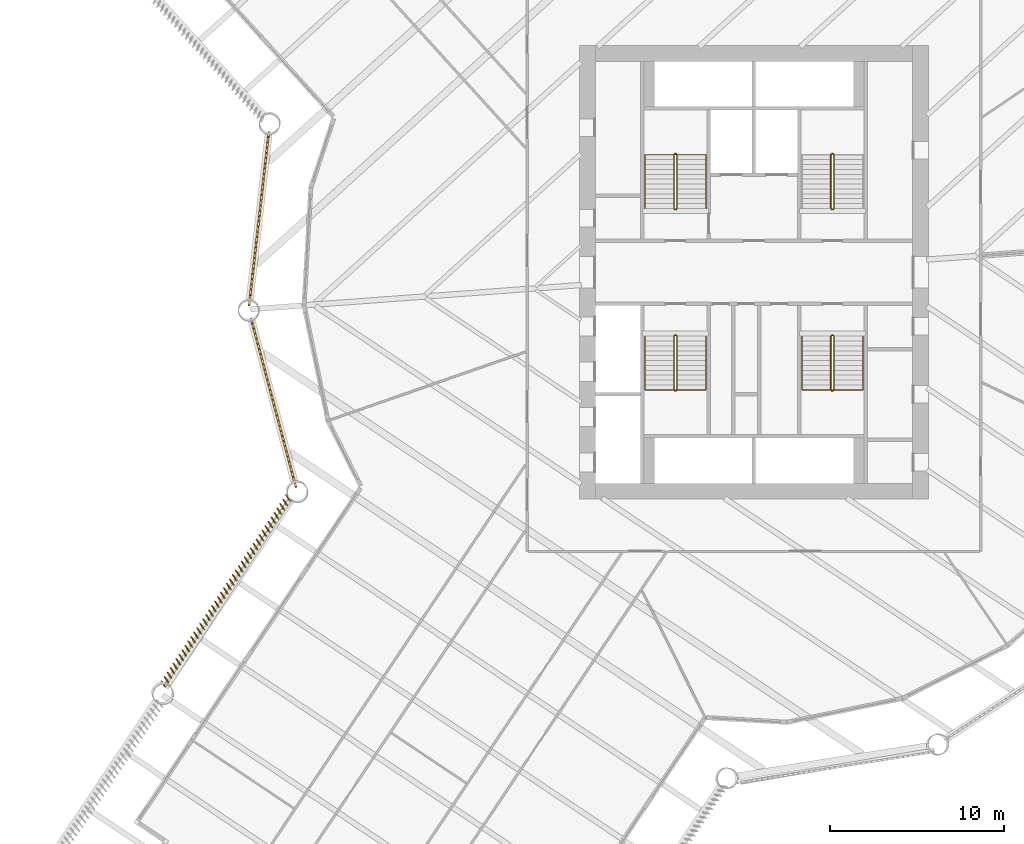
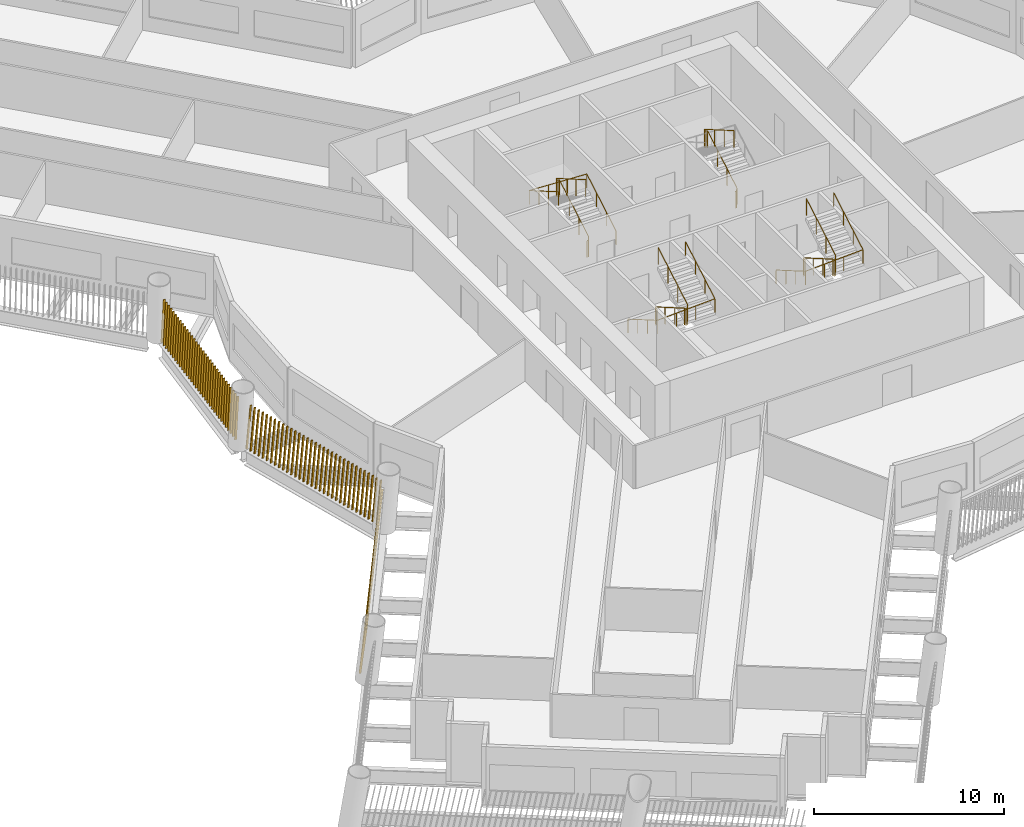
# One storey, part 12 of 15: 7 railings, 3 shading devices.
"""IFC4 building model written with IfcOpenShell, lengths in metres."""

import ifcopenshell
import ifcopenshell.guid

model = None  # the IFC model being written
_history = None  # IfcOwnerHistory: only IFC2X3 demands one
_inside = {}  # id of a spatial element -> (the spatial element, [elements in it])
_under = {}  # id of a project, library or spatial element -> (it, [spatial elements below it])
_declared = {}  # id of a project -> (the project, [libraries it declares])
_typed = {}  # id of a type object -> (the type object, [elements of that type])
_made_of = {}  # id of a material, layer set ... -> (it, [elements and type objects made of it])


def new_model(schema):
    """Start an empty IFC model of exactly this schema.

    Asked for "IFC4X3", IfcOpenShell would pick the latest addendum, in which some entities
    have other attributes; the version numbers below select the first issue.
    IFC2X3 requires an IfcOwnerHistory on every rooted entity: one is made here for all.
    """
    global model, _history
    if schema == "IFC4X3":
        model = ifcopenshell.file(schema_version=(4, 3, 0, 0))
    else:
        model = ifcopenshell.file(schema=schema)
    _inside.clear()
    _under.clear()
    _declared.clear()
    _typed.clear()
    _made_of.clear()
    _history = None
    if model.schema == "IFC2X3":
        org = make("IfcOrganization", Name="unknown")
        user = make(
            "IfcPersonAndOrganization",
            ThePerson=make("IfcPerson", FamilyName="unknown"),
            TheOrganization=org,
        )
        app = make(
            "IfcApplication",
            ApplicationDeveloper=org,
            Version="unknown",
            ApplicationFullName="unknown",
            ApplicationIdentifier="unknown",
        )
        _history = make(
            "IfcOwnerHistory",
            OwningUser=user,
            OwningApplication=app,
            ChangeAction="ADDED",
            CreationDate=0,
        )
    return model


def make(cls, **values):
    """One entity of the class cls with the attributes given. An attribute that is None is left unset."""
    return model.create_entity(
        cls, **{name: value for name, value in values.items() if value is not None}
    )


def rooted(cls, **values):
    """An entity with a GlobalId (a new one), such as an element, a storey or a relation."""
    return make(cls, GlobalId=ifcopenshell.guid.new(), OwnerHistory=_history, **values)


def si_unit(unit_type, name, prefix=None):
    """IfcSIUnit, for example si_unit("LENGTHUNIT", "METRE", prefix="MILLI")."""
    return make("IfcSIUnit", UnitType=unit_type, Prefix=prefix, Name=name)


def assignment(units):
    """IfcUnitAssignment: the units of a project."""
    return None if units is None else make("IfcUnitAssignment", Units=units)


def point(xyz):
    """IfcCartesianPoint."""
    return None if xyz is None else make("IfcCartesianPoint", Coordinates=xyz)


def direction(xyz):
    """IfcDirection."""
    return None if xyz is None else make("IfcDirection", DirectionRatios=xyz)


def frame(location, z_axis=None, x_axis=None):
    """IfcAxis2Placement3D, a coordinate frame: its origin and axes. An axis left out is left unset."""
    return make(
        "IfcAxis2Placement3D",
        Location=point(location),
        Axis=direction(z_axis),
        RefDirection=direction(x_axis),
    )


def frame_2d(location, x_axis=None):
    """IfcAxis2Placement2D, a coordinate frame in the plane: its origin and x axis."""
    return make(
        "IfcAxis2Placement2D", Location=point(location), RefDirection=direction(x_axis)
    )


def origin():
    """The frame at (0, 0, 0) with its axes left unset."""
    return frame((0.0, 0.0, 0.0))


def origin_2d():
    """The frame at (0, 0) in the plane with its x axis left unset."""
    return frame_2d((0.0, 0.0))


def place(relative_to, where):
    """IfcLocalPlacement: puts the frame where relative to a parent placement (None: the world)."""
    return make(
        "IfcLocalPlacement", PlacementRelTo=relative_to, RelativePlacement=where
    )


def context(
    kind, dimensions, precision=None, world=None, true_north=None, identifier=None
):
    """IfcGeometricRepresentationContext, for example the 3D "Model" context."""
    return make(
        "IfcGeometricRepresentationContext",
        ContextIdentifier=identifier,
        ContextType=kind,
        CoordinateSpaceDimension=dimensions,
        Precision=precision,
        WorldCoordinateSystem=world,
        TrueNorth=true_north,
    )


def subcontext(parent, identifier, kind, view, scale=None):
    """IfcGeometricRepresentationSubContext, for example "Body" below "Model"."""
    return make(
        "IfcGeometricRepresentationSubContext",
        ContextIdentifier=identifier,
        ContextType=kind,
        ParentContext=parent,
        TargetScale=scale,
        TargetView=view,
    )


def project(units=None, contexts=None):
    """IfcProject with its units and contexts."""
    return rooted(
        "IfcProject",
        Name="project",
        RepresentationContexts=contexts,
        UnitsInContext=assignment(units),
    )


def spatial(cls, under=None, at=None, **own):
    """A site, building, storey or space (cls), placed at a placement, below another one or the project."""
    s = rooted(cls, ObjectPlacement=at, **own)
    if under is not None:
        _under.setdefault(under.id(), (under, []))[1].append(s)
    return s


def profile(cls, at=None, kind="AREA", **sizes):
    """A parametric profile (cls). Its sizes go by their IFC names, for example OverallWidth=200.0."""
    return make(cls, ProfileType=kind, Position=at, **sizes)


def rectangle(**sizes):
    """IfcRectangleProfileDef."""
    return profile("IfcRectangleProfileDef", **sizes)


def circle(**sizes):
    """IfcCircleProfileDef."""
    return profile("IfcCircleProfileDef", **sizes)


def composite_profile(profiles, kind="AREA"):
    """IfcCompositeProfileDef: several profiles as one."""
    return make("IfcCompositeProfileDef", ProfileType=kind, Profiles=profiles)


def extrude(swept, where, along, depth):
    """IfcExtrudedAreaSolid: the profile swept, set in the frame where, extruded along a direction by depth."""
    return make(
        "IfcExtrudedAreaSolid",
        SweptArea=swept,
        Position=where,
        ExtrudedDirection=direction(along),
        Depth=depth,
    )


def shape(context_of_items, identifier, shape_type, items):
    """IfcShapeRepresentation: the items that make up one representation, for example the "Body"."""
    return make(
        "IfcShapeRepresentation",
        ContextOfItems=context_of_items,
        RepresentationIdentifier=identifier,
        RepresentationType=shape_type,
        Items=items,
    )


def material(Name=None, Category=None):
    """IfcMaterial."""
    return make("IfcMaterial", Name=Name, Category=Category)


def made_of(thing, what):
    """Note that an element or type object is made of a material, layer set ...; save() writes the relation."""
    if what is not None:
        _made_of.setdefault(what.id(), (what, []))[1].append(thing)
    return thing


def type_object(cls, material=None, **own):
    """A type object (cls), such as IfcWallType, which elements share."""
    return made_of(rooted(cls, **own), material)


def element(
    cls,
    number,
    at=None,
    inside=None,
    cuts=None,
    type_object=None,
    material=None,
    context=None,
    identifier="Body",
    shape_type=None,
    held_by="IfcProductDefinitionShape",
    body=None,
    shapes=None,
    **own,
):
    """One element of the class cls, such as IfcWall. Its Tag is "e" and its number.

    at: its placement. inside: the storey or other place that contains it. cuts: it is an
    opening in that element (IfcRelVoidsElement). A single representation is given by context,
    identifier, shape_type and body (its items); several are given by shapes. held_by: the class
    of the entity that holds the representations. save() writes the other relations.
    """
    e = rooted(cls, Tag="e%d" % number, ObjectPlacement=at, **own)
    if body is not None:
        shapes = [shape(context, identifier, shape_type, body)]
    if shapes is not None:
        e.Representation = make(held_by, Representations=shapes)
    if inside is not None:
        _inside.setdefault(inside.id(), (inside, []))[1].append(e)
    if cuts is not None:
        rooted(
            "IfcRelVoidsElement", RelatingBuildingElement=cuts, RelatedOpeningElement=e
        )
    if type_object is not None:
        _typed.setdefault(type_object.id(), (type_object, []))[1].append(e)
    return made_of(e, material)


def aggregate(whole, parts):
    """IfcRelAggregates: a whole, such as a stair, and the parts it consists of."""
    return rooted("IfcRelAggregates", RelatingObject=whole, RelatedObjects=parts)


def save(model, path):
    """Write the relations noted so far, then the file.

    IfcRelAggregates (storeys below a building ...), IfcRelContainedInSpatialStructure (elements
    in a storey), IfcRelDefinesByType, IfcRelAssociatesMaterial and IfcRelDeclares: one each for
    every whole, place, type object, material and project.
    """
    for whole, parts in _under.values():
        aggregate(whole, parts)
    for where, things in _inside.values():
        rooted(
            "IfcRelContainedInSpatialStructure",
            RelatedElements=things,
            RelatingStructure=where,
        )
    for kind, things in _typed.values():
        rooted("IfcRelDefinesByType", RelatedObjects=things, RelatingType=kind)
    for what, things in _made_of.values():
        rooted("IfcRelAssociatesMaterial", RelatedObjects=things, RelatingMaterial=what)
    for by, libraries in _declared.values():
        rooted("IfcRelDeclares", RelatingContext=by, RelatedDefinitions=libraries)
    model.write(path)


model = new_model("IFC4")

# Units and contexts
model_context = context("Model", 3, precision=1e-05, world=origin(), true_north=direction((0.0, 1.0)))
body_context = subcontext(model_context, "Body", "Model", "MODEL_VIEW")
ifc_project = project(units=[si_unit("LENGTHUNIT", "METRE"), si_unit("AREAUNIT", "SQUARE_METRE"), si_unit("VOLUMEUNIT", "CUBIC_METRE"), si_unit("PLANEANGLEUNIT", "RADIAN"), si_unit("MASSUNIT", "GRAM", prefix="KILO")], contexts=[model_context])

# Site, building, storey
site_placement = place(None, origin())
site = spatial("IfcSite", under=ifc_project, at=site_placement, CompositionType="ELEMENT")
building_placement = place(site_placement, origin())
building = spatial("IfcBuilding", under=site, at=building_placement, Name="Tarsis Ring Headquarters", CompositionType="ELEMENT")
storey_placement = place(building_placement, frame((0.0, 0.0, 59.5)))
storey = spatial("IfcBuildingStorey", under=building, at=storey_placement, Name="L12", CompositionType="ELEMENT", Elevation=59.5)

# Railings
ifc_material_1 = material(Name="Steel S355", Category="steel")
railing_type_1 = type_object("IfcRailingType", Name="Core stair guard 1100", PredefinedType="GUARDRAIL", material=ifc_material_1)
railing_1_placement = place(storey_placement, frame((-4.5400390625, 3.610107421875, 0.0)))
element("IfcRailing", 1, at=railing_1_placement, inside=storey, type_object=railing_type_1, Name="L12 ST1 stair guard 1", PredefinedType="GUARDRAIL", context=body_context, shape_type="SweptSolid", body=[
    extrude(circle(Radius=0.02392578125, at=origin_2d()), frame((0.0, 0.0, 1.076171875), z_axis=(1.0, 0.0, 0.0), x_axis=(0.0, 1.0, 0.0)), (0.0, 0.0, 1.0), 0.080078125),
    extrude(circle(Radius=0.02392578125, at=origin_2d()), frame((0.080078125, 0.0, 1.076171875), z_axis=(0.282336740067, 0.280959487676, 0.917250092119), x_axis=(-0.705375805398, 0.708833529934, 0.0)), (0.0, 0.0, 1.0), 0.17724609375),
    extrude(circle(Radius=0.02392578125, at=origin_2d()), frame((0.130126953125, 0.0498046875, 1.23876953125), z_axis=(0.0, 0.864920483161, 0.501908913857), x_axis=(-1.0, 0.0, 0.0)), (0.0, 0.0, 1.0), 3.56103515625),
    extrude(circle(Radius=0.02392578125, at=origin_2d()), frame((0.130126953125, 3.1298828125, 3.02587890625), z_axis=(-0.707106781187, 0.707106781187, 0.0), x_axis=(-0.707106781187, -0.707106781187, 0.0)), (0.0, 0.0, 1.0), 0.07080078125),
    extrude(circle(Radius=0.02392578125, at=origin_2d()), frame((0.080078125, 3.179931640625, 3.02587890625), z_axis=(-1.0, 0.0, 0.0), x_axis=(0.0, -1.0, 0.0)), (0.0, 0.0, 1.0), 0.080078125),
    extrude(circle(Radius=0.02392578125, at=origin_2d()), frame((0.0, 3.179931640625, 3.02587890625), z_axis=(-0.282227285176, -0.282227285176, 0.916894497205), x_axis=(0.707106781187, -0.707106781187, 0.0)), (0.0, 0.0, 1.0), 0.17724609375),
    extrude(circle(Radius=0.02392578125, at=origin_2d()), frame((-0.050048828125, 3.1298828125, 3.1884765625), z_axis=(0.0, -0.864920483161, 0.501908913857), x_axis=(1.0, 0.0, 0.0)), (0.0, 0.0, 1.0), 3.56103515625),
    extrude(circle(Radius=0.02099609375, at=origin_2d()), origin(), (0.0, 0.0, 1.0), 1.052001953125),
    extrude(circle(Radius=0.02099609375, at=origin_2d()), frame((0.080078125, 0.0, 0.0)), (0.0, 0.0, 1.0), 1.052001953125),
    extrude(circle(Radius=0.02099609375, at=origin_2d()), frame((0.130126953125, 0.0498046875, 0.16259765625)), (0.0, 0.0, 1.0), 1.052001953125),
    extrude(circle(Radius=0.02099609375, at=origin_2d()), frame((0.130126953125, 1.076416015625, 0.75830078125)), (0.0, 0.0, 1.0), 1.052001953125),
    extrude(circle(Radius=0.02099609375, at=origin_2d()), frame((0.130126953125, 2.103271484375, 1.354248046875)), (0.0, 0.0, 1.0), 1.052001953125),
    extrude(circle(Radius=0.02099609375, at=origin_2d()), frame((0.130126953125, 3.1298828125, 1.949951171875)), (0.0, 0.0, 1.0), 1.052001953125),
    extrude(circle(Radius=0.02099609375, at=origin_2d()), frame((0.080078125, 3.179931640625, 1.949951171875)), (0.0, 0.0, 1.0), 1.052001953125),
    extrude(circle(Radius=0.02099609375, at=origin_2d()), frame((0.0, 3.179931640625, 1.949951171875)), (0.0, 0.0, 1.0), 1.052001953125),
    extrude(circle(Radius=0.02099609375, at=origin_2d()), frame((-0.050048828125, 3.1298828125, 2.112548828125)), (0.0, 0.0, 1.0), 1.052001953125),
    extrude(circle(Radius=0.02099609375, at=origin_2d()), frame((-0.050048828125, 2.103271484375, 2.708251953125)), (0.0, 0.0, 1.0), 1.052001953125),
    extrude(circle(Radius=0.02099609375, at=origin_2d()), frame((-0.050048828125, 1.076416015625, 3.30419921875)), (0.0, 0.0, 1.0), 1.052001953125),
    extrude(circle(Radius=0.02099609375, at=origin_2d()), frame((-0.050048828125, 0.0498046875, 3.89990234375)), (0.0, 0.0, 1.0), 1.052001953125),
])
railing_2_placement = place(storey_placement, frame((4.4599609375, 3.610107421875, 0.0)))
element("IfcRailing", 2, at=railing_2_placement, inside=storey, type_object=railing_type_1, Name="L12 ST2 stair guard 1", PredefinedType="GUARDRAIL", context=body_context, shape_type="SweptSolid", body=[
    extrude(circle(Radius=0.02392578125, at=origin_2d()), frame((0.0, 0.0, 1.076171875), z_axis=(1.0, 0.0, 0.0), x_axis=(0.0, 1.0, 0.0)), (0.0, 0.0, 1.0), 0.080078125),
    extrude(circle(Radius=0.02392578125, at=origin_2d()), frame((0.080078125, 0.0, 1.076171875), z_axis=(0.282336740067, 0.280959487676, 0.917250092119), x_axis=(-0.705375805398, 0.708833529934, 0.0)), (0.0, 0.0, 1.0), 0.17724609375),
    extrude(circle(Radius=0.02392578125, at=origin_2d()), frame((0.130126953125, 0.0498046875, 1.23876953125), z_axis=(0.0, 0.864920483161, 0.501908913857), x_axis=(-1.0, 0.0, 0.0)), (0.0, 0.0, 1.0), 3.56103515625),
    extrude(circle(Radius=0.02392578125, at=origin_2d()), frame((0.130126953125, 3.1298828125, 3.02587890625), z_axis=(-0.707106781187, 0.707106781187, 0.0), x_axis=(-0.707106781187, -0.707106781187, 0.0)), (0.0, 0.0, 1.0), 0.07080078125),
    extrude(circle(Radius=0.02392578125, at=origin_2d()), frame((0.080078125, 3.179931640625, 3.02587890625), z_axis=(-1.0, 0.0, 0.0), x_axis=(0.0, -1.0, 0.0)), (0.0, 0.0, 1.0), 0.080078125),
    extrude(circle(Radius=0.02392578125, at=origin_2d()), frame((0.0, 3.179931640625, 3.02587890625), z_axis=(-0.282227285176, -0.282227285176, 0.916894497205), x_axis=(0.707106781187, -0.707106781187, 0.0)), (0.0, 0.0, 1.0), 0.17724609375),
    extrude(circle(Radius=0.02392578125, at=origin_2d()), frame((-0.050048828125, 3.1298828125, 3.1884765625), z_axis=(0.0, -0.864920483161, 0.501908913857), x_axis=(1.0, 0.0, 0.0)), (0.0, 0.0, 1.0), 3.56103515625),
    extrude(circle(Radius=0.02099609375, at=origin_2d()), origin(), (0.0, 0.0, 1.0), 1.052001953125),
    extrude(circle(Radius=0.02099609375, at=origin_2d()), frame((0.080078125, 0.0, 0.0)), (0.0, 0.0, 1.0), 1.052001953125),
    extrude(circle(Radius=0.02099609375, at=origin_2d()), frame((0.130126953125, 0.0498046875, 0.16259765625)), (0.0, 0.0, 1.0), 1.052001953125),
    extrude(circle(Radius=0.02099609375, at=origin_2d()), frame((0.130126953125, 1.076416015625, 0.75830078125)), (0.0, 0.0, 1.0), 1.052001953125),
    extrude(circle(Radius=0.02099609375, at=origin_2d()), frame((0.130126953125, 2.103271484375, 1.354248046875)), (0.0, 0.0, 1.0), 1.052001953125),
    extrude(circle(Radius=0.02099609375, at=origin_2d()), frame((0.130126953125, 3.1298828125, 1.949951171875)), (0.0, 0.0, 1.0), 1.052001953125),
    extrude(circle(Radius=0.02099609375, at=origin_2d()), frame((0.080078125, 3.179931640625, 1.949951171875)), (0.0, 0.0, 1.0), 1.052001953125),
    extrude(circle(Radius=0.02099609375, at=origin_2d()), frame((0.0, 3.179931640625, 1.949951171875)), (0.0, 0.0, 1.0), 1.052001953125),
    extrude(circle(Radius=0.02099609375, at=origin_2d()), frame((-0.050048828125, 3.1298828125, 2.112548828125)), (0.0, 0.0, 1.0), 1.052001953125),
    extrude(circle(Radius=0.02099609375, at=origin_2d()), frame((-0.050048828125, 2.103271484375, 2.708251953125)), (0.0, 0.0, 1.0), 1.052001953125),
    extrude(circle(Radius=0.02099609375, at=origin_2d()), frame((-0.050048828125, 1.076416015625, 3.30419921875)), (0.0, 0.0, 1.0), 1.052001953125),
    extrude(circle(Radius=0.02099609375, at=origin_2d()), frame((-0.050048828125, 0.0498046875, 3.89990234375)), (0.0, 0.0, 1.0), 1.052001953125),
])
railing_3_placement = place(storey_placement, frame((-4.4599609375, -3.610107421875, 0.0)))
element("IfcRailing", 3, at=railing_3_placement, inside=storey, type_object=railing_type_1, Name="L12 ST3 stair guard 1", PredefinedType="GUARDRAIL", context=body_context, shape_type="SweptSolid", body=[
    extrude(circle(Radius=0.02392578125, at=origin_2d()), frame((0.0, 0.0, 1.076171875), z_axis=(-1.0, 0.0, 0.0), x_axis=(0.0, -1.0, 0.0)), (0.0, 0.0, 1.0), 0.080078125),
    extrude(circle(Radius=0.02392578125, at=origin_2d()), frame((-0.080078125, 0.0, 1.076171875), z_axis=(-0.282336740067, -0.280959487676, 0.917250092119), x_axis=(0.705375805398, -0.708833529934, 0.0)), (0.0, 0.0, 1.0), 0.17724609375),
    extrude(circle(Radius=0.02392578125, at=origin_2d()), frame((-0.130126953125, -0.0498046875, 1.23876953125), z_axis=(0.0, -0.864920483161, 0.501908913857), x_axis=(1.0, 0.0, 0.0)), (0.0, 0.0, 1.0), 3.56103515625),
    extrude(circle(Radius=0.02392578125, at=origin_2d()), frame((-0.130126953125, -3.1298828125, 3.02587890625), z_axis=(0.707106781187, -0.707106781187, 0.0), x_axis=(0.707106781187, 0.707106781187, 0.0)), (0.0, 0.0, 1.0), 0.07080078125),
    extrude(circle(Radius=0.02392578125, at=origin_2d()), frame((-0.080078125, -3.179931640625, 3.02587890625), z_axis=(1.0, 0.0, 0.0), x_axis=(0.0, 1.0, 0.0)), (0.0, 0.0, 1.0), 0.080078125),
    extrude(circle(Radius=0.02392578125, at=origin_2d()), frame((0.0, -3.179931640625, 3.02587890625), z_axis=(0.282227285176, 0.282227285176, 0.916894497205), x_axis=(-0.707106781187, 0.707106781187, 0.0)), (0.0, 0.0, 1.0), 0.17724609375),
    extrude(circle(Radius=0.02392578125, at=origin_2d()), frame((0.050048828125, -3.1298828125, 3.1884765625), z_axis=(0.0, 0.864920483161, 0.501908913857), x_axis=(-1.0, 0.0, 0.0)), (0.0, 0.0, 1.0), 3.56103515625),
    extrude(circle(Radius=0.02099609375, at=origin_2d()), origin(), (0.0, 0.0, 1.0), 1.052001953125),
    extrude(circle(Radius=0.02099609375, at=origin_2d()), frame((-0.080078125, 0.0, 0.0)), (0.0, 0.0, 1.0), 1.052001953125),
    extrude(circle(Radius=0.02099609375, at=origin_2d()), frame((-0.130126953125, -0.0498046875, 0.16259765625)), (0.0, 0.0, 1.0), 1.052001953125),
    extrude(circle(Radius=0.02099609375, at=origin_2d()), frame((-0.130126953125, -1.076416015625, 0.75830078125)), (0.0, 0.0, 1.0), 1.052001953125),
    extrude(circle(Radius=0.02099609375, at=origin_2d()), frame((-0.130126953125, -2.103271484375, 1.354248046875)), (0.0, 0.0, 1.0), 1.052001953125),
    extrude(circle(Radius=0.02099609375, at=origin_2d()), frame((-0.130126953125, -3.1298828125, 1.949951171875)), (0.0, 0.0, 1.0), 1.052001953125),
    extrude(circle(Radius=0.02099609375, at=origin_2d()), frame((-0.080078125, -3.179931640625, 1.949951171875)), (0.0, 0.0, 1.0), 1.052001953125),
    extrude(circle(Radius=0.02099609375, at=origin_2d()), frame((0.0, -3.179931640625, 1.949951171875)), (0.0, 0.0, 1.0), 1.052001953125),
    extrude(circle(Radius=0.02099609375, at=origin_2d()), frame((0.050048828125, -3.1298828125, 2.112548828125)), (0.0, 0.0, 1.0), 1.052001953125),
    extrude(circle(Radius=0.02099609375, at=origin_2d()), frame((0.050048828125, -2.103271484375, 2.708251953125)), (0.0, 0.0, 1.0), 1.052001953125),
    extrude(circle(Radius=0.02099609375, at=origin_2d()), frame((0.050048828125, -1.076416015625, 3.30419921875)), (0.0, 0.0, 1.0), 1.052001953125),
    extrude(circle(Radius=0.02099609375, at=origin_2d()), frame((0.050048828125, -0.0498046875, 3.89990234375)), (0.0, 0.0, 1.0), 1.052001953125),
])
railing_4_placement = place(storey_placement, frame((4.5400390625, -3.610107421875, 0.0)))
element("IfcRailing", 4, at=railing_4_placement, inside=storey, type_object=railing_type_1, Name="L12 ST4 stair guard 1", PredefinedType="GUARDRAIL", context=body_context, shape_type="SweptSolid", body=[
    extrude(circle(Radius=0.02392578125, at=origin_2d()), frame((0.0, 0.0, 1.076171875), z_axis=(-1.0, 0.0, 0.0), x_axis=(0.0, -1.0, 0.0)), (0.0, 0.0, 1.0), 0.080078125),
    extrude(circle(Radius=0.02392578125, at=origin_2d()), frame((-0.080078125, 0.0, 1.076171875), z_axis=(-0.282336740067, -0.280959487676, 0.917250092119), x_axis=(0.705375805398, -0.708833529934, 0.0)), (0.0, 0.0, 1.0), 0.17724609375),
    extrude(circle(Radius=0.02392578125, at=origin_2d()), frame((-0.130126953125, -0.0498046875, 1.23876953125), z_axis=(0.0, -0.864920483161, 0.501908913857), x_axis=(1.0, 0.0, 0.0)), (0.0, 0.0, 1.0), 3.56103515625),
    extrude(circle(Radius=0.02392578125, at=origin_2d()), frame((-0.130126953125, -3.1298828125, 3.02587890625), z_axis=(0.707106781187, -0.707106781187, 0.0), x_axis=(0.707106781187, 0.707106781187, 0.0)), (0.0, 0.0, 1.0), 0.07080078125),
    extrude(circle(Radius=0.02392578125, at=origin_2d()), frame((-0.080078125, -3.179931640625, 3.02587890625), z_axis=(1.0, 0.0, 0.0), x_axis=(0.0, 1.0, 0.0)), (0.0, 0.0, 1.0), 0.080078125),
    extrude(circle(Radius=0.02392578125, at=origin_2d()), frame((0.0, -3.179931640625, 3.02587890625), z_axis=(0.282227285176, 0.282227285176, 0.916894497205), x_axis=(-0.707106781187, 0.707106781187, 0.0)), (0.0, 0.0, 1.0), 0.17724609375),
    extrude(circle(Radius=0.02392578125, at=origin_2d()), frame((0.050048828125, -3.1298828125, 3.1884765625), z_axis=(0.0, 0.864920483161, 0.501908913857), x_axis=(-1.0, 0.0, 0.0)), (0.0, 0.0, 1.0), 3.56103515625),
    extrude(circle(Radius=0.02099609375, at=origin_2d()), origin(), (0.0, 0.0, 1.0), 1.052001953125),
    extrude(circle(Radius=0.02099609375, at=origin_2d()), frame((-0.080078125, 0.0, 0.0)), (0.0, 0.0, 1.0), 1.052001953125),
    extrude(circle(Radius=0.02099609375, at=origin_2d()), frame((-0.130126953125, -0.0498046875, 0.16259765625)), (0.0, 0.0, 1.0), 1.052001953125),
    extrude(circle(Radius=0.02099609375, at=origin_2d()), frame((-0.130126953125, -1.076416015625, 0.75830078125)), (0.0, 0.0, 1.0), 1.052001953125),
    extrude(circle(Radius=0.02099609375, at=origin_2d()), frame((-0.130126953125, -2.103271484375, 1.354248046875)), (0.0, 0.0, 1.0), 1.052001953125),
    extrude(circle(Radius=0.02099609375, at=origin_2d()), frame((-0.130126953125, -3.1298828125, 1.949951171875)), (0.0, 0.0, 1.0), 1.052001953125),
    extrude(circle(Radius=0.02099609375, at=origin_2d()), frame((-0.080078125, -3.179931640625, 1.949951171875)), (0.0, 0.0, 1.0), 1.052001953125),
    extrude(circle(Radius=0.02099609375, at=origin_2d()), frame((0.0, -3.179931640625, 1.949951171875)), (0.0, 0.0, 1.0), 1.052001953125),
    extrude(circle(Radius=0.02099609375, at=origin_2d()), frame((0.050048828125, -3.1298828125, 2.112548828125)), (0.0, 0.0, 1.0), 1.052001953125),
    extrude(circle(Radius=0.02099609375, at=origin_2d()), frame((0.050048828125, -2.103271484375, 2.708251953125)), (0.0, 0.0, 1.0), 1.052001953125),
    extrude(circle(Radius=0.02099609375, at=origin_2d()), frame((0.050048828125, -1.076416015625, 3.30419921875)), (0.0, 0.0, 1.0), 1.052001953125),
    extrude(circle(Radius=0.02099609375, at=origin_2d()), frame((0.050048828125, -0.0498046875, 3.89990234375)), (0.0, 0.0, 1.0), 1.052001953125),
])
railing_type_2 = type_object("IfcRailingType", Name="Core stair handrail 900", PredefinedType="HANDRAIL", material=ifc_material_1)
railing_5_placement = place(storey_placement, frame((-2.75, 3.659912109375, 0.16259765625)))
element("IfcRailing", 5, at=railing_5_placement, inside=storey, type_object=railing_type_2, Name="L12 ST1 stair handrail 1", PredefinedType="HANDRAIL", context=body_context, shape_type="SweptSolid", body=[
    extrude(circle(Radius=0.02392578125, at=origin_2d()), frame((0.0, 0.0, 0.8759765625), z_axis=(0.0, 0.864920483161, 0.501908913857), x_axis=(-1.0, 0.0, 0.0)), (0.0, 0.0, 1.0), 3.56103515625),
    extrude(circle(Radius=0.02392578125, at=origin_2d()), frame((0.0, 3.080078125, 2.6630859375), z_axis=(-0.998922641604, 0.0, 0.046406422943), x_axis=(0.0, -1.0, 0.0)), (0.0, 0.0, 1.0), 3.503662109375),
    extrude(circle(Radius=0.02392578125, at=origin_2d()), frame((-3.5, 3.080078125, 2.82568359375), z_axis=(0.0, -0.864920483161, 0.501908913857), x_axis=(1.0, 0.0, 0.0)), (0.0, 0.0, 1.0), 3.56103515625),
    extrude(circle(Radius=0.02099609375, at=origin_2d()), origin(), (0.0, 0.0, 1.0), 0.851806640625),
    extrude(circle(Radius=0.02099609375, at=origin_2d()), frame((0.0, 1.026611328125, 0.595703125)), (0.0, 0.0, 1.0), 0.851806640625),
    extrude(circle(Radius=0.02099609375, at=origin_2d()), frame((0.0, 2.053466796875, 1.191650390625)), (0.0, 0.0, 1.0), 0.851806640625),
    extrude(circle(Radius=0.02099609375, at=origin_2d()), frame((0.0, 3.080078125, 1.787353515625)), (0.0, 0.0, 1.0), 0.851806640625),
    extrude(circle(Radius=0.02099609375, at=origin_2d()), frame((-1.166748046875, 3.080078125, 1.841552734375)), (0.0, 0.0, 1.0), 0.851806640625),
    extrude(circle(Radius=0.02099609375, at=origin_2d()), frame((-2.333251953125, 3.080078125, 1.895751953125)), (0.0, 0.0, 1.0), 0.851806640625),
    extrude(circle(Radius=0.02099609375, at=origin_2d()), frame((-3.5, 3.080078125, 1.949951171875)), (0.0, 0.0, 1.0), 0.851806640625),
    extrude(circle(Radius=0.02099609375, at=origin_2d()), frame((-3.5, 2.053466796875, 2.545654296875)), (0.0, 0.0, 1.0), 0.851806640625),
    extrude(circle(Radius=0.02099609375, at=origin_2d()), frame((-3.5, 1.026611328125, 3.1416015625)), (0.0, 0.0, 1.0), 0.851806640625),
    extrude(circle(Radius=0.02099609375, at=origin_2d()), frame((-3.5, 0.0, 3.7373046875)), (0.0, 0.0, 1.0), 0.851806640625),
])
railing_6_placement = place(storey_placement, frame((-6.25, -3.659912109375, 0.16259765625)))
element("IfcRailing", 6, at=railing_6_placement, inside=storey, type_object=railing_type_2, Name="L12 ST3 stair handrail 1", PredefinedType="HANDRAIL", context=body_context, shape_type="SweptSolid", body=[
    extrude(circle(Radius=0.02392578125, at=origin_2d()), frame((0.0, 0.0, 0.8759765625), z_axis=(0.0, -0.864920483161, 0.501908913857), x_axis=(1.0, 0.0, 0.0)), (0.0, 0.0, 1.0), 3.56103515625),
    extrude(circle(Radius=0.02392578125, at=origin_2d()), frame((0.0, -3.080078125, 2.6630859375), z_axis=(0.998922641604, 0.0, 0.046406422943), x_axis=(0.0, 1.0, 0.0)), (0.0, 0.0, 1.0), 3.503662109375),
    extrude(circle(Radius=0.02392578125, at=origin_2d()), frame((3.5, -3.080078125, 2.82568359375), z_axis=(0.0, 0.864920483161, 0.501908913857), x_axis=(-1.0, 0.0, 0.0)), (0.0, 0.0, 1.0), 3.56103515625),
    extrude(circle(Radius=0.02099609375, at=origin_2d()), origin(), (0.0, 0.0, 1.0), 0.851806640625),
    extrude(circle(Radius=0.02099609375, at=origin_2d()), frame((0.0, -1.026611328125, 0.595703125)), (0.0, 0.0, 1.0), 0.851806640625),
    extrude(circle(Radius=0.02099609375, at=origin_2d()), frame((0.0, -2.053466796875, 1.191650390625)), (0.0, 0.0, 1.0), 0.851806640625),
    extrude(circle(Radius=0.02099609375, at=origin_2d()), frame((0.0, -3.080078125, 1.787353515625)), (0.0, 0.0, 1.0), 0.851806640625),
    extrude(circle(Radius=0.02099609375, at=origin_2d()), frame((1.166748046875, -3.080078125, 1.841552734375)), (0.0, 0.0, 1.0), 0.851806640625),
    extrude(circle(Radius=0.02099609375, at=origin_2d()), frame((2.333251953125, -3.080078125, 1.895751953125)), (0.0, 0.0, 1.0), 0.851806640625),
    extrude(circle(Radius=0.02099609375, at=origin_2d()), frame((3.5, -3.080078125, 1.949951171875)), (0.0, 0.0, 1.0), 0.851806640625),
    extrude(circle(Radius=0.02099609375, at=origin_2d()), frame((3.5, -2.053466796875, 2.545654296875)), (0.0, 0.0, 1.0), 0.851806640625),
    extrude(circle(Radius=0.02099609375, at=origin_2d()), frame((3.5, -1.026611328125, 3.1416015625)), (0.0, 0.0, 1.0), 0.851806640625),
    extrude(circle(Radius=0.02099609375, at=origin_2d()), frame((3.5, 0.0, 3.7373046875)), (0.0, 0.0, 1.0), 0.851806640625),
])
railing_7_placement = place(storey_placement, frame((2.75, -3.659912109375, 0.16259765625)))
element("IfcRailing", 7, at=railing_7_placement, inside=storey, type_object=railing_type_2, Name="L12 ST4 stair handrail 1", PredefinedType="HANDRAIL", context=body_context, shape_type="SweptSolid", body=[
    extrude(circle(Radius=0.02392578125, at=origin_2d()), frame((0.0, 0.0, 0.8759765625), z_axis=(0.0, -0.864920483161, 0.501908913857), x_axis=(1.0, 0.0, 0.0)), (0.0, 0.0, 1.0), 3.56103515625),
    extrude(circle(Radius=0.02392578125, at=origin_2d()), frame((0.0, -3.080078125, 2.6630859375), z_axis=(0.998922641604, 0.0, 0.046406422943), x_axis=(0.0, 1.0, 0.0)), (0.0, 0.0, 1.0), 3.503662109375),
    extrude(circle(Radius=0.02392578125, at=origin_2d()), frame((3.5, -3.080078125, 2.82568359375), z_axis=(0.0, 0.864920483161, 0.501908913857), x_axis=(-1.0, 0.0, 0.0)), (0.0, 0.0, 1.0), 3.56103515625),
    extrude(circle(Radius=0.02099609375, at=origin_2d()), origin(), (0.0, 0.0, 1.0), 0.851806640625),
    extrude(circle(Radius=0.02099609375, at=origin_2d()), frame((0.0, -1.026611328125, 0.595703125)), (0.0, 0.0, 1.0), 0.851806640625),
    extrude(circle(Radius=0.02099609375, at=origin_2d()), frame((0.0, -2.053466796875, 1.191650390625)), (0.0, 0.0, 1.0), 0.851806640625),
    extrude(circle(Radius=0.02099609375, at=origin_2d()), frame((0.0, -3.080078125, 1.787353515625)), (0.0, 0.0, 1.0), 0.851806640625),
    extrude(circle(Radius=0.02099609375, at=origin_2d()), frame((1.166748046875, -3.080078125, 1.841552734375)), (0.0, 0.0, 1.0), 0.851806640625),
    extrude(circle(Radius=0.02099609375, at=origin_2d()), frame((2.333251953125, -3.080078125, 1.895751953125)), (0.0, 0.0, 1.0), 0.851806640625),
    extrude(circle(Radius=0.02099609375, at=origin_2d()), frame((3.5, -3.080078125, 1.949951171875)), (0.0, 0.0, 1.0), 0.851806640625),
    extrude(circle(Radius=0.02099609375, at=origin_2d()), frame((3.5, -2.053466796875, 2.545654296875)), (0.0, 0.0, 1.0), 0.851806640625),
    extrude(circle(Radius=0.02099609375, at=origin_2d()), frame((3.5, -1.026611328125, 3.1416015625)), (0.0, 0.0, 1.0), 0.851806640625),
    extrude(circle(Radius=0.02099609375, at=origin_2d()), frame((3.5, 0.0, 3.7373046875)), (0.0, 0.0, 1.0), 0.851806640625),
])

# Shading devices
ifc_material_2 = material(Name="Terracotta baguette", Category="masonry")
shading_device_type = type_object("IfcShadingDeviceType", Name="Terracotta baguette screen", PredefinedType="USERDEFINED", material=ifc_material_2)
shading_device_1_placement = place(storey_placement, frame((-28.842041015625, -2.610595703125, 0.0), z_axis=(0.0, 0.0, 1.0), x_axis=(0.256864459713, -0.966445971268, 0.0)))
element("IfcShadingDevice", 8, at=shading_device_1_placement, inside=storey, type_object=shading_device_type, Name="Baguette screen L12-00", ObjectType="Terracotta baguette screen", PredefinedType="USERDEFINED", context=body_context, shape_type="SweptSolid", body=[
    extrude(composite_profile([rectangle(XDim=0.06005859375, YDim=0.1201171875, at=frame_2d((0.030029296875, 0.0))), rectangle(XDim=0.06005859375, YDim=0.1201171875, at=frame_2d((0.33349609375, 0.0))), rectangle(XDim=0.06005859375, YDim=0.1201171875, at=frame_2d((0.636962890625, 0.0))), rectangle(XDim=0.06005859375, YDim=0.1201171875, at=frame_2d((0.9404296875, 0.0))), rectangle(XDim=0.06005859375, YDim=0.1201171875, at=frame_2d((1.243896484375, 0.0))), rectangle(XDim=0.06005859375, YDim=0.1201171875, at=frame_2d((1.54736328125, 0.0))), rectangle(XDim=0.06005859375, YDim=0.1201171875, at=frame_2d((1.85107421875, 0.0))), rectangle(XDim=0.06005859375, YDim=0.1201171875, at=frame_2d((2.154541015625, 0.0))), rectangle(XDim=0.06005859375, YDim=0.1201171875, at=frame_2d((2.4580078125, 0.0))), rectangle(XDim=0.06005859375, YDim=0.1201171875, at=frame_2d((2.761474609375, 0.0))), rectangle(XDim=0.06005859375, YDim=0.1201171875, at=frame_2d((3.06494140625, 0.0))), rectangle(XDim=0.06005859375, YDim=0.1201171875, at=frame_2d((3.368408203125, 0.0))), rectangle(XDim=0.06005859375, YDim=0.1201171875, at=frame_2d((3.671875, 0.0))), rectangle(XDim=0.06005859375, YDim=0.1201171875, at=frame_2d((3.975341796875, 0.0))), rectangle(XDim=0.06005859375, YDim=0.1201171875, at=frame_2d((4.27880859375, 0.0))), rectangle(XDim=0.06005859375, YDim=0.1201171875, at=frame_2d((4.582275390625, 0.0))), rectangle(XDim=0.06005859375, YDim=0.1201171875, at=frame_2d((4.8857421875, 0.0))), rectangle(XDim=0.06005859375, YDim=0.1201171875, at=frame_2d((5.189453125, 0.0))), rectangle(XDim=0.06005859375, YDim=0.1201171875, at=frame_2d((5.492919921875, 0.0))), rectangle(XDim=0.06005859375, YDim=0.1201171875, at=frame_2d((5.79638671875, 0.0))), rectangle(XDim=0.06005859375, YDim=0.1201171875, at=frame_2d((6.099853515625, 0.0))), rectangle(XDim=0.06005859375, YDim=0.1201171875, at=frame_2d((6.4033203125, 0.0))), rectangle(XDim=0.06005859375, YDim=0.1201171875, at=frame_2d((6.706787109375, 0.0))), rectangle(XDim=0.06005859375, YDim=0.1201171875, at=frame_2d((7.01025390625, 0.0))), rectangle(XDim=0.06005859375, YDim=0.1201171875, at=frame_2d((7.313720703125, 0.0))), rectangle(XDim=0.06005859375, YDim=0.1201171875, at=frame_2d((7.6171875, 0.0))), rectangle(XDim=0.06005859375, YDim=0.1201171875, at=frame_2d((7.920654296875, 0.0))), rectangle(XDim=0.06005859375, YDim=0.1201171875, at=frame_2d((8.224365234375, 0.0))), rectangle(XDim=0.06005859375, YDim=0.1201171875, at=frame_2d((8.52783203125, 0.0))), rectangle(XDim=0.06005859375, YDim=0.1201171875, at=frame_2d((8.831298828125, 0.0))), rectangle(XDim=0.06005859375, YDim=0.1201171875, at=frame_2d((9.134765625, 0.0))), rectangle(XDim=0.06005859375, YDim=0.1201171875, at=frame_2d((9.438232421875, 0.0))), rectangle(XDim=0.06005859375, YDim=0.1201171875, at=frame_2d((9.74169921875, 0.0)))]), origin(), (0.100721861949, 0.000528942044, 0.994914482127), 2.9677734375),
])
shading_device_2_placement = place(storey_placement, frame((-26.793212890625, -12.74462890625, 0.0), z_axis=(0.0, 0.0, 1.0), x_axis=(-0.556304047533, -0.830983783375, 0.0)))
element("IfcShadingDevice", 9, at=shading_device_2_placement, inside=storey, type_object=shading_device_type, Name="Baguette screen L12-01", ObjectType="Terracotta baguette screen", PredefinedType="USERDEFINED", context=body_context, shape_type="SweptSolid", body=[
    extrude(composite_profile([rectangle(XDim=0.06005859375, YDim=0.1201171875, at=frame_2d((0.030029296875, 0.0))), rectangle(XDim=0.06005859375, YDim=0.1201171875, at=frame_2d((0.335693359375, 0.0))), rectangle(XDim=0.06005859375, YDim=0.1201171875, at=frame_2d((0.6416015625, 0.0))), rectangle(XDim=0.06005859375, YDim=0.1201171875, at=frame_2d((0.947265625, 0.0))), rectangle(XDim=0.06005859375, YDim=0.1201171875, at=frame_2d((1.253173828125, 0.0))), rectangle(XDim=0.06005859375, YDim=0.1201171875, at=frame_2d((1.558837890625, 0.0))), rectangle(XDim=0.06005859375, YDim=0.1201171875, at=frame_2d((1.864501953125, 0.0))), rectangle(XDim=0.06005859375, YDim=0.1201171875, at=frame_2d((2.17041015625, 0.0))), rectangle(XDim=0.06005859375, YDim=0.1201171875, at=frame_2d((2.47607421875, 0.0))), rectangle(XDim=0.06005859375, YDim=0.1201171875, at=frame_2d((2.781982421875, 0.0))), rectangle(XDim=0.06005859375, YDim=0.1201171875, at=frame_2d((3.087646484375, 0.0))), rectangle(XDim=0.06005859375, YDim=0.1201171875, at=frame_2d((3.393310546875, 0.0))), rectangle(XDim=0.06005859375, YDim=0.1201171875, at=frame_2d((3.69921875, 0.0))), rectangle(XDim=0.06005859375, YDim=0.1201171875, at=frame_2d((4.0048828125, 0.0))), rectangle(XDim=0.06005859375, YDim=0.1201171875, at=frame_2d((4.310791015625, 0.0))), rectangle(XDim=0.06005859375, YDim=0.1201171875, at=frame_2d((4.616455078125, 0.0))), rectangle(XDim=0.06005859375, YDim=0.1201171875, at=frame_2d((4.922119140625, 0.0))), rectangle(XDim=0.06005859375, YDim=0.1201171875, at=frame_2d((5.22802734375, 0.0))), rectangle(XDim=0.06005859375, YDim=0.1201171875, at=frame_2d((5.53369140625, 0.0))), rectangle(XDim=0.06005859375, YDim=0.1201171875, at=frame_2d((5.839599609375, 0.0))), rectangle(XDim=0.06005859375, YDim=0.1201171875, at=frame_2d((6.145263671875, 0.0))), rectangle(XDim=0.06005859375, YDim=0.1201171875, at=frame_2d((6.451171875, 0.0))), rectangle(XDim=0.06005859375, YDim=0.1201171875, at=frame_2d((6.7568359375, 0.0))), rectangle(XDim=0.06005859375, YDim=0.1201171875, at=frame_2d((7.0625, 0.0))), rectangle(XDim=0.06005859375, YDim=0.1201171875, at=frame_2d((7.368408203125, 0.0))), rectangle(XDim=0.06005859375, YDim=0.1201171875, at=frame_2d((7.674072265625, 0.0))), rectangle(XDim=0.06005859375, YDim=0.1201171875, at=frame_2d((7.97998046875, 0.0))), rectangle(XDim=0.06005859375, YDim=0.1201171875, at=frame_2d((8.28564453125, 0.0))), rectangle(XDim=0.06005859375, YDim=0.1201171875, at=frame_2d((8.59130859375, 0.0))), rectangle(XDim=0.06005859375, YDim=0.1201171875, at=frame_2d((8.897216796875, 0.0))), rectangle(XDim=0.06005859375, YDim=0.1201171875, at=frame_2d((9.202880859375, 0.0))), rectangle(XDim=0.06005859375, YDim=0.1201171875, at=frame_2d((9.5087890625, 0.0))), rectangle(XDim=0.06005859375, YDim=0.1201171875, at=frame_2d((9.814453125, 0.0))), rectangle(XDim=0.06005859375, YDim=0.1201171875, at=frame_2d((10.1201171875, 0.0))), rectangle(XDim=0.06005859375, YDim=0.1201171875, at=frame_2d((10.426025390625, 0.0))), rectangle(XDim=0.06005859375, YDim=0.1201171875, at=frame_2d((10.731689453125, 0.0))), rectangle(XDim=0.06005859375, YDim=0.1201171875, at=frame_2d((11.03759765625, 0.0))), rectangle(XDim=0.06005859375, YDim=0.1201171875, at=frame_2d((11.34326171875, 0.0))), rectangle(XDim=0.06005859375, YDim=0.1201171875, at=frame_2d((11.64892578125, 0.0))), rectangle(XDim=0.06005859375, YDim=0.1201171875, at=frame_2d((11.954833984375, 0.0))), rectangle(XDim=0.06005859375, YDim=0.1201171875, at=frame_2d((12.260498046875, 0.0))), rectangle(XDim=0.06005859375, YDim=0.1201171875, at=frame_2d((12.56640625, 0.0))), rectangle(XDim=0.06005859375, YDim=0.1201171875, at=frame_2d((12.8720703125, 0.0)))]), origin(), (0.052811728665, 0.112701251278, 0.99222444501), 2.975830078125),
])
shading_device_3_placement = place(storey_placement, frame((-27.810302734375, 8.07861328125, 0.0), z_axis=(0.0, 0.0, 1.0), x_axis=(-0.112954403498, -0.993603997502, 0.0)))
element("IfcShadingDevice", 10, at=shading_device_3_placement, inside=storey, type_object=shading_device_type, Name="Baguette screen L12-21", ObjectType="Terracotta baguette screen", PredefinedType="USERDEFINED", context=body_context, shape_type="SweptSolid", body=[
    extrude(composite_profile([rectangle(XDim=0.06005859375, YDim=0.1201171875, at=frame_2d((0.030029296875, 0.0))), rectangle(XDim=0.06005859375, YDim=0.1201171875, at=frame_2d((0.33349609375, 0.0))), rectangle(XDim=0.06005859375, YDim=0.1201171875, at=frame_2d((0.636962890625, 0.0))), rectangle(XDim=0.06005859375, YDim=0.1201171875, at=frame_2d((0.9404296875, 0.0))), rectangle(XDim=0.06005859375, YDim=0.1201171875, at=frame_2d((1.243896484375, 0.0))), rectangle(XDim=0.06005859375, YDim=0.1201171875, at=frame_2d((1.54736328125, 0.0))), rectangle(XDim=0.06005859375, YDim=0.1201171875, at=frame_2d((1.85107421875, 0.0))), rectangle(XDim=0.06005859375, YDim=0.1201171875, at=frame_2d((2.154541015625, 0.0))), rectangle(XDim=0.06005859375, YDim=0.1201171875, at=frame_2d((2.4580078125, 0.0))), rectangle(XDim=0.06005859375, YDim=0.1201171875, at=frame_2d((2.761474609375, 0.0))), rectangle(XDim=0.06005859375, YDim=0.1201171875, at=frame_2d((3.06494140625, 0.0))), rectangle(XDim=0.06005859375, YDim=0.1201171875, at=frame_2d((3.368408203125, 0.0))), rectangle(XDim=0.06005859375, YDim=0.1201171875, at=frame_2d((3.671875, 0.0))), rectangle(XDim=0.06005859375, YDim=0.1201171875, at=frame_2d((3.975341796875, 0.0))), rectangle(XDim=0.06005859375, YDim=0.1201171875, at=frame_2d((4.27880859375, 0.0))), rectangle(XDim=0.06005859375, YDim=0.1201171875, at=frame_2d((4.582275390625, 0.0))), rectangle(XDim=0.06005859375, YDim=0.1201171875, at=frame_2d((4.8857421875, 0.0))), rectangle(XDim=0.06005859375, YDim=0.1201171875, at=frame_2d((5.189453125, 0.0))), rectangle(XDim=0.06005859375, YDim=0.1201171875, at=frame_2d((5.492919921875, 0.0))), rectangle(XDim=0.06005859375, YDim=0.1201171875, at=frame_2d((5.79638671875, 0.0))), rectangle(XDim=0.06005859375, YDim=0.1201171875, at=frame_2d((6.099853515625, 0.0))), rectangle(XDim=0.06005859375, YDim=0.1201171875, at=frame_2d((6.4033203125, 0.0))), rectangle(XDim=0.06005859375, YDim=0.1201171875, at=frame_2d((6.706787109375, 0.0))), rectangle(XDim=0.06005859375, YDim=0.1201171875, at=frame_2d((7.01025390625, 0.0))), rectangle(XDim=0.06005859375, YDim=0.1201171875, at=frame_2d((7.313720703125, 0.0))), rectangle(XDim=0.06005859375, YDim=0.1201171875, at=frame_2d((7.6171875, 0.0))), rectangle(XDim=0.06005859375, YDim=0.1201171875, at=frame_2d((7.920654296875, 0.0))), rectangle(XDim=0.06005859375, YDim=0.1201171875, at=frame_2d((8.224365234375, 0.0))), rectangle(XDim=0.06005859375, YDim=0.1201171875, at=frame_2d((8.52783203125, 0.0))), rectangle(XDim=0.06005859375, YDim=0.1201171875, at=frame_2d((8.831298828125, 0.0))), rectangle(XDim=0.06005859375, YDim=0.1201171875, at=frame_2d((9.134765625, 0.0))), rectangle(XDim=0.06005859375, YDim=0.1201171875, at=frame_2d((9.438232421875, 0.0))), rectangle(XDim=0.06005859375, YDim=0.1201171875, at=frame_2d((9.74169921875, 0.0)))]), origin(), (0.100722437638, 0.000528610502, 0.994914424022), 2.9677734375),
])

save(model, "model.ifc")
